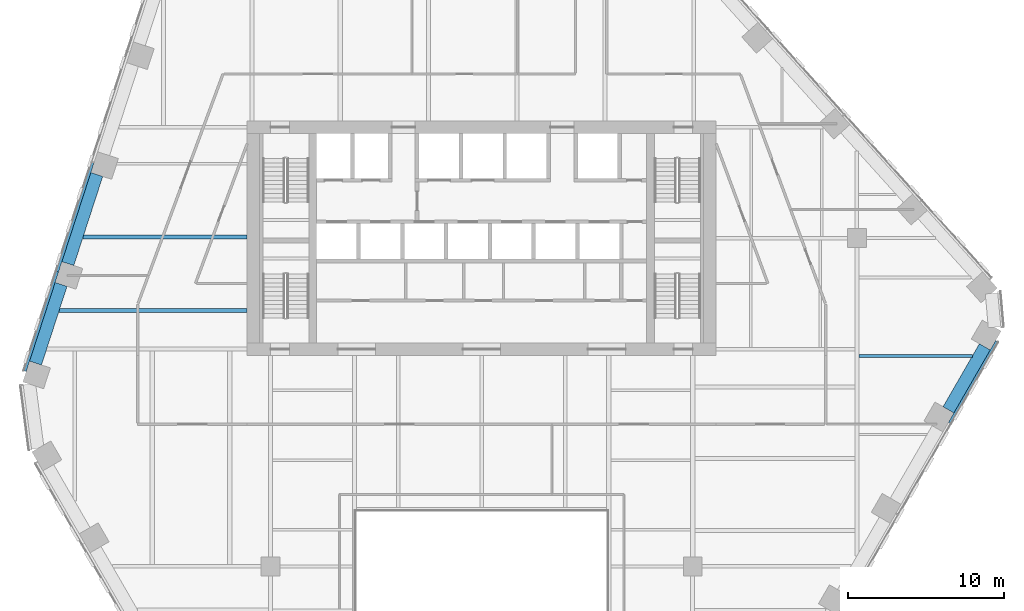
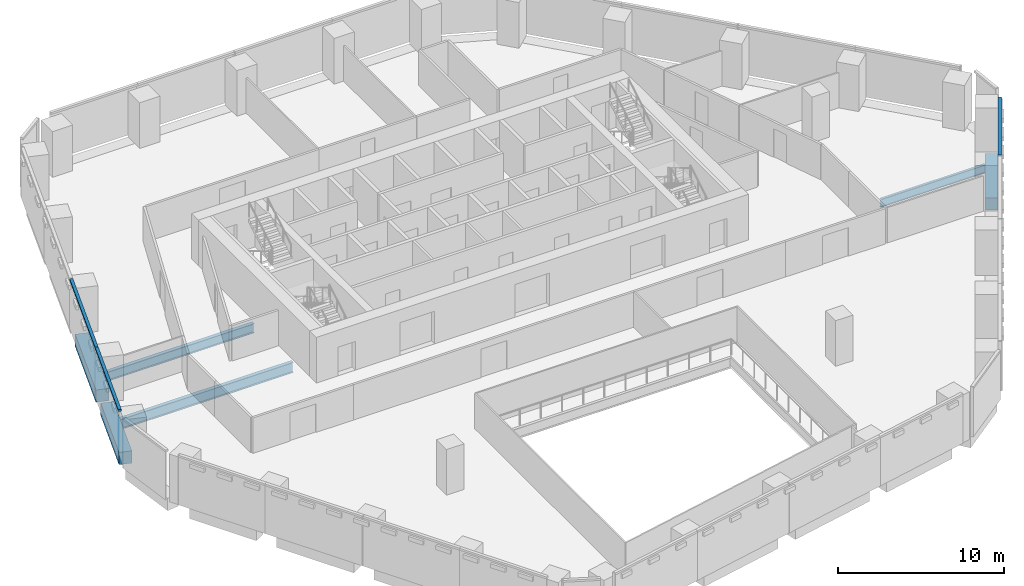
# One storey, part 6 of 17: 6 beams, 3 members, 2 elements without a shape of their own.
"""IFC4 building model written with IfcOpenShell, lengths in metres."""

from ifc_helpers import new_model, si_unit, direction, frame, origin, origin_2d, place, context, subcontext, project, spatial, rectangle, i_section, extrude, material, layer, layer_set, material_profile, profile_set, type_object, element, aggregate, save


model = new_model("IFC4")

# Units and contexts
model_context = context("Model", 3, precision=1e-05, world=origin(), true_north=direction((0.0, 1.0)))
body_context = subcontext(model_context, "Body", "Model", "MODEL_VIEW")
ifc_project = project(units=[si_unit("LENGTHUNIT", "METRE"), si_unit("AREAUNIT", "SQUARE_METRE"), si_unit("VOLUMEUNIT", "CUBIC_METRE"), si_unit("PLANEANGLEUNIT", "RADIAN"), si_unit("MASSUNIT", "GRAM", prefix="KILO")], contexts=[model_context])

# Site, building, storey
site_placement = place(None, origin())
site = spatial("IfcSite", under=ifc_project, at=site_placement, CompositionType="ELEMENT")
building_placement = place(site_placement, origin())
building = spatial("IfcBuilding", under=site, at=building_placement, Name="Isthmus Gate Tower", CompositionType="ELEMENT")
storey_placement = place(building_placement, frame((0.0, 0.0, 162.64990234375)))
storey = spatial("IfcBuildingStorey", under=building, at=storey_placement, Name="L40", CompositionType="ELEMENT", Elevation=162.64990234375)

# Curtain wall, members
ifc_material_1 = material(Name="Aluminium, pale champagne anodised", Category="aluminium")
ifc_layer = layer(ifc_material_1, 0.199951171875)
ifc_layer_set = layer_set([ifc_layer], Name="CW-1 UNITISED CURTAIN WALL 200 DEEP")
curtain_wall_type = type_object("IfcCurtainWallType", Name="CW-1 UNITISED CURTAIN WALL 200 DEEP", PredefinedType="NOTDEFINED", material=ifc_layer_set)
curtain_wall_1_placement = place(storey_placement, origin())
curtain_wall_1 = element("IfcCurtainWall", 1, at=curtain_wall_1_placement, inside=storey, type_object=curtain_wall_type, Name="CW-1 NW L40", PredefinedType="NOTDEFINED")
ifc_material_2 = material(Name="Aluminium, pale champagne anodised", Category="aluminium")
ifc_material_profile_1 = material_profile(ifc_material_2, rectangle(XDim=0.199951171875, YDim=0.139892578125, at=origin_2d()), Name="200x140")
ifc_profile_set_1 = profile_set([ifc_material_profile_1], Name="Aluminium, pale champagne anodised")
member_type = type_object("IfcMemberType", Name="CW-1 TRANSOM 200 X 140", PredefinedType="USERDEFINED", material=ifc_profile_set_1)
member_1_placement = place(storey_placement, frame((-24.896240234375, 12.33056640625, 3.580078125), z_axis=(-0.309025074527, -0.951053890857, 0.0), x_axis=(0.951053890857, -0.309025074527, 0.0)))
member_1 = element("IfcMember", 2, at=member_1_placement, type_object=member_type, Name="CW-1 transom", ObjectType="TRANSOM", PredefinedType="USERDEFINED", context=body_context, shape_type="SweptSolid", body=[
    extrude(rectangle(XDim=0.199951171875, YDim=0.139892578125, at=origin_2d()), origin(), (0.0, 0.0, 1.0), 7.330810546875),
])
member_2_placement = place(storey_placement, frame((-27.16162109375, 5.358642578125, 3.580078125), z_axis=(-0.309026665985, -0.951053373744, 0.0), x_axis=(0.951053373744, -0.309026665985, 0.0)))
member_2 = element("IfcMember", 3, at=member_2_placement, type_object=member_type, Name="CW-1 transom", ObjectType="TRANSOM", PredefinedType="USERDEFINED", context=body_context, shape_type="SweptSolid", body=[
    extrude(rectangle(XDim=0.199951171875, YDim=0.139892578125, at=origin_2d()), origin(), (0.0, 0.0, 1.0), 6.690673828125),
])
aggregate(curtain_wall_1, [member_1, member_2])

# Curtain wall, member
curtain_wall_2_placement = place(storey_placement, origin())
curtain_wall_2 = element("IfcCurtainWall", 4, at=curtain_wall_2_placement, inside=storey, type_object=curtain_wall_type, Name="CW-1 SE L40", PredefinedType="NOTDEFINED")
member_3_placement = place(storey_placement, frame((29.941162109375, -4.34033203125, 3.580078125), z_axis=(0.499997231551, 0.866027002143, 0.0), x_axis=(-0.866027002143, 0.499997231551, 0.0)))
member_3 = element("IfcMember", 5, at=member_3_placement, type_object=member_type, Name="CW-1 transom", ObjectType="TRANSOM", PredefinedType="USERDEFINED", context=body_context, shape_type="SweptSolid", body=[
    extrude(rectangle(XDim=0.199951171875, YDim=0.139892578125, at=origin_2d()), origin(), (0.0, 0.0, 1.0), 6.05029296875),
])
aggregate(curtain_wall_2, [member_3])

# Beams
ifc_material_3 = material(Name="Concrete f'c 60 MPa", Category="concrete")
ifc_material_profile_2 = material_profile(ifc_material_3, rectangle(XDim=0.800048828125, YDim=0.89990234375, at=origin_2d()), Name="RC 800X900")
ifc_profile_set_2 = profile_set([ifc_material_profile_2], Name="Concrete f'c 60 MPa")
beam_type_1 = type_object("IfcBeamType", Name="RC SPANDREL 800 X 900", PredefinedType="SPANDREL", material=ifc_profile_set_2)
beam_1_placement = place(storey_placement, frame((32.183349609375, 0.54296875, -0.449951171875), z_axis=(-0.500023913295, -0.866011596997, 0.0), x_axis=(0.866011596997, -0.500023913295, 0.0)))
element("IfcBeam", 6, at=beam_1_placement, inside=storey, type_object=beam_type_1, Name="str-spandrel-L40-06", PredefinedType="SPANDREL", context=body_context, shape_type="SweptSolid", body=[
    extrude(rectangle(XDim=0.800048828125, YDim=0.89990234375, at=origin_2d()), origin(), (0.0, 0.0, 1.0), 4.650146484375),
])
beam_2_placement = place(storey_placement, frame((-28.537353515625, -0.493408203125, -0.449951171875), z_axis=(0.309033901013, 0.951051022829, 0.0), x_axis=(-0.951051022829, 0.309033901013, 0.0)))
element("IfcBeam", 7, at=beam_2_placement, inside=storey, type_object=beam_type_1, Name="str-spandrel-L40-21", PredefinedType="SPANDREL", context=body_context, shape_type="SweptSolid", body=[
    extrude(rectangle(XDim=0.800048828125, YDim=0.89990234375, at=origin_2d()), origin(), (0.0, 0.0, 1.0), 5.290771484375),
])
beam_3_placement = place(storey_placement, frame((-26.4697265625, 5.869873046875, -0.449951171875), z_axis=(0.309029860788, 0.951052335648, 0.0), x_axis=(-0.951052335648, 0.309029860788, 0.0)))
element("IfcBeam", 8, at=beam_3_placement, inside=storey, type_object=beam_type_1, Name="str-spandrel-L40-22", PredefinedType="SPANDREL", context=body_context, shape_type="SweptSolid", body=[
    extrude(rectangle(XDim=0.800048828125, YDim=0.89990234375, at=origin_2d()), origin(), (0.0, 0.0, 1.0), 5.99072265625),
])
ifc_material_4 = material(Name="Structural steel ASTM A992 Gr 50", Category="steel")
ifc_material_profile_3 = material_profile(ifc_material_4, i_section(OverallWidth=0.177734375, OverallDepth=0.60009765625, WebThickness=0.009521484375, FlangeThickness=0.0126953125, at=origin_2d()), Name="W24X55")
ifc_profile_set_3 = profile_set([ifc_material_profile_3], Name="Structural steel ASTM A992 Gr 50")
beam_type_2 = type_object("IfcBeamType", Name="STEEL FLOOR BEAM W24X55", PredefinedType="JOIST", material=ifc_profile_set_3)
beam_4_placement = place(storey_placement, frame((24.13330078125, -0.037353515625, -0.449951171875), z_axis=(1.0, 0.0, 0.0), x_axis=(0.0, 1.0, 0.0)))
element("IfcBeam", 9, at=beam_4_placement, inside=storey, type_object=beam_type_2, Name="str-beam-L40-16-01", PredefinedType="JOIST", context=body_context, shape_type="SweptSolid", body=[
    extrude(i_section(OverallWidth=0.177734375, OverallDepth=0.60009765625, WebThickness=0.009521484375, FlangeThickness=0.0126953125, at=origin_2d()), origin(), (0.0, 0.0, 1.0), 7.2529296875),
])
ifc_material_5 = material(Name="Structural steel ASTM A992 Gr 50", Category="steel")
ifc_material_profile_4 = material_profile(ifc_material_5, i_section(OverallWidth=0.25390625, OverallDepth=0.679443359375, WebThickness=0.010986328125, FlangeThickness=0.015869140625, at=origin_2d()), Name="W27X84")
ifc_profile_set_4 = profile_set([ifc_material_profile_4], Name="Structural steel ASTM A992 Gr 50")
beam_type_3 = type_object("IfcBeamType", Name="STEEL FLOOR BEAM W27X84", PredefinedType="JOIST", material=ifc_profile_set_4)
beam_5_placement = place(storey_placement, frame((-25.498046875, 7.56591796875, -0.489501953125), z_axis=(1.0, 0.0, 0.0), x_axis=(0.0, 1.0, 0.0)))
element("IfcBeam", 10, at=beam_5_placement, inside=storey, type_object=beam_type_3, Name="str-beam-L40-01-01", PredefinedType="JOIST", context=body_context, shape_type="SweptSolid", body=[
    extrude(i_section(OverallWidth=0.25390625, OverallDepth=0.679443359375, WebThickness=0.010986328125, FlangeThickness=0.015869140625, at=origin_2d()), origin(), (0.0, 0.0, 1.0), 10.498046875),
])
ifc_material_6 = material(Name="Structural steel ASTM A992 Gr 50", Category="steel")
ifc_material_profile_5 = material_profile(ifc_material_6, i_section(OverallWidth=0.263427734375, OverallDepth=0.749267578125, WebThickness=0.0126953125, FlangeThickness=0.015869140625, at=origin_2d()), Name="W30X90")
ifc_profile_set_5 = profile_set([ifc_material_profile_5], Name="Structural steel ASTM A992 Gr 50")
beam_type_4 = type_object("IfcBeamType", Name="STEEL FLOOR BEAM W30X90", PredefinedType="JOIST", material=ifc_profile_set_5)
beam_6_placement = place(storey_placement, frame((-27.021728515625, 2.87646484375, -0.524658203125), z_axis=(1.0, 0.0, 0.0), x_axis=(0.0, 1.0, 0.0)))
element("IfcBeam", 11, at=beam_6_placement, inside=storey, type_object=beam_type_4, Name="str-beam-L40-01-00", PredefinedType="JOIST", context=body_context, shape_type="SweptSolid", body=[
    extrude(i_section(OverallWidth=0.263427734375, OverallDepth=0.749267578125, WebThickness=0.0126953125, FlangeThickness=0.015869140625, at=origin_2d()), origin(), (0.0, 0.0, 1.0), 12.021728515625),
])

save(model, "model.ifc")
